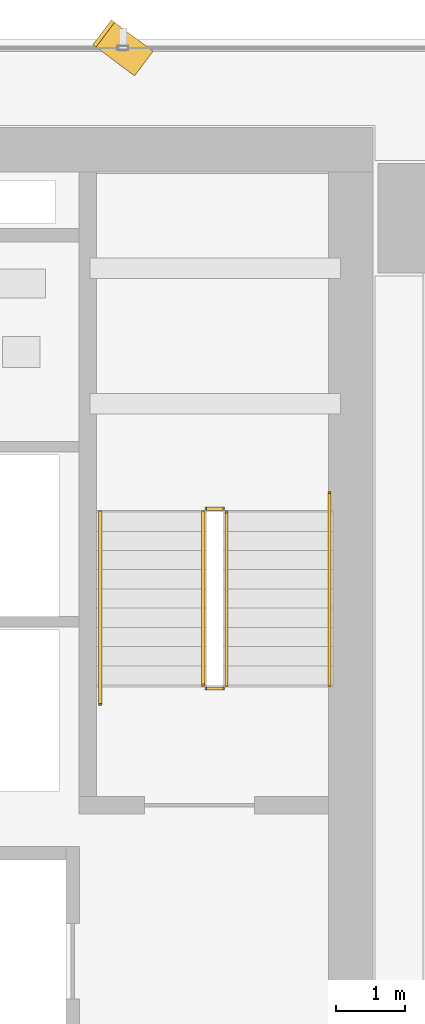
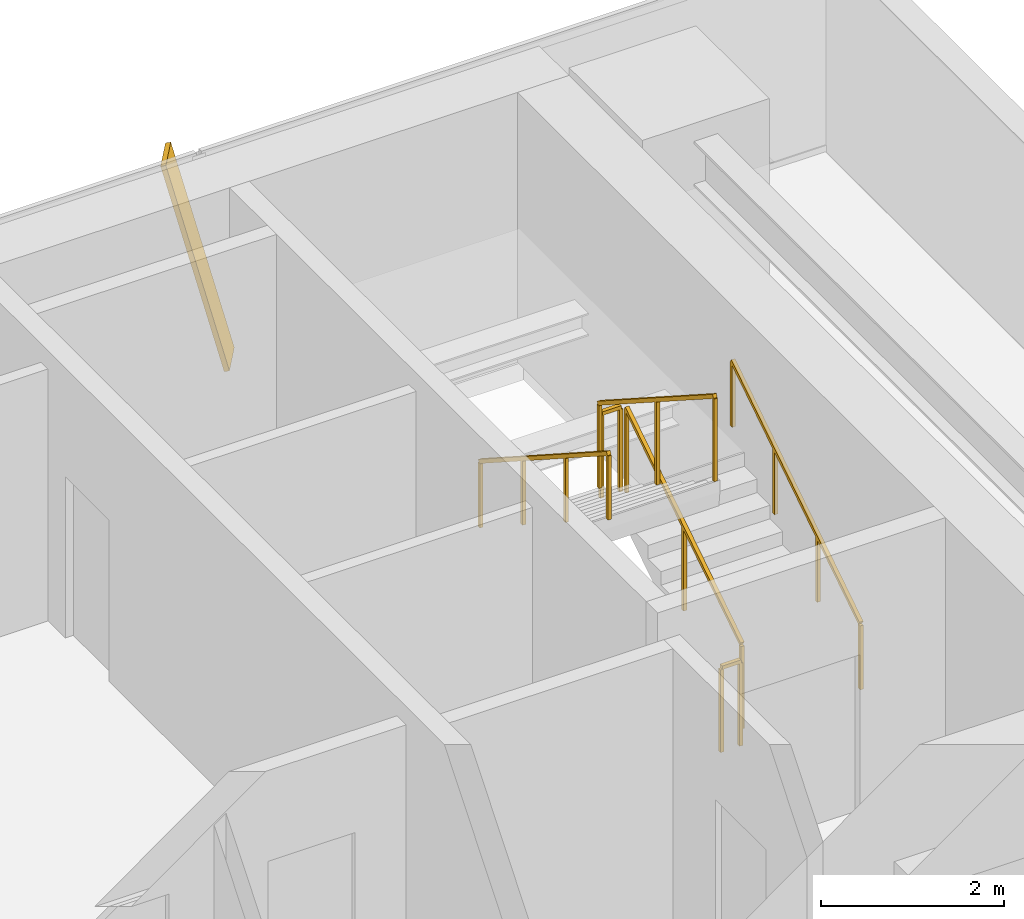
# One storey, part 35 of 36: 6 railings, 1 shading device.
"""IFC4 building model written with IfcOpenShell, lengths in metres."""

from ifc_helpers import new_model, si_unit, direction, frame, origin, origin_2d, place, context, subcontext, project, spatial, rectangle, extrude, source, transform, mapped, material, material_profile, profile_set, type_object, element, save


model = new_model("IFC4")

# Units and contexts
model_context = context("Model", 3, precision=1e-05, world=origin(), true_north=direction((0.0, 1.0)))
body_context = subcontext(model_context, "Body", "Model", "MODEL_VIEW")
ifc_project = project(units=[si_unit("LENGTHUNIT", "METRE"), si_unit("AREAUNIT", "SQUARE_METRE"), si_unit("VOLUMEUNIT", "CUBIC_METRE"), si_unit("PLANEANGLEUNIT", "RADIAN"), si_unit("MASSUNIT", "GRAM", prefix="KILO")], contexts=[model_context])

# Site, building, storey
site_placement = place(None, origin())
site = spatial("IfcSite", under=ifc_project, at=site_placement, CompositionType="ELEMENT")
building_placement = place(site_placement, origin())
building = spatial("IfcBuilding", under=site, at=building_placement, Name="Sumidabori Civic Tower", CompositionType="ELEMENT")
storey_placement = place(building_placement, frame((0.0, 0.0, 84.800048828125)))
storey = spatial("IfcBuildingStorey", under=building, at=storey_placement, Name="L21", CompositionType="ELEMENT", Elevation=84.800048828125)

# Railings
ifc_material_1 = material(Name="Stainless Steel Hairline Finish", Category="steel")
railing_type_1 = type_object("IfcRailingType", Name="RL-HANDRAIL", PredefinedType="HANDRAIL", material=ifc_material_1)
railing_1_placement = place(storey_placement, frame((15.2900390625, 16.0, 0.179931640625)))
element("IfcRailing", 1, at=railing_1_placement, inside=storey, type_object=railing_type_1, Name="L21 ST-2 stair handrail 1", PredefinedType="HANDRAIL", context=body_context, shape_type="SweptSolid", body=[
    extrude(rectangle(XDim=0.048095703125, YDim=0.048095703125, at=origin_2d()), frame((0.0, 0.0, 0.8759765625), z_axis=(0.0, 0.840675598268, 0.541539046124), x_axis=(-1.0, 0.0, 0.0)), (0.0, 0.0, 1.0), 3.330810546875),
    extrude(rectangle(XDim=0.0419921875, YDim=0.0419921875, at=origin_2d()), origin(), (0.0, 0.0, 1.0), 0.851806640625),
    extrude(rectangle(XDim=0.0419921875, YDim=0.0419921875, at=origin_2d()), frame((0.0, 0.933349609375, 0.601318359375)), (0.0, 0.0, 1.0), 0.851806640625),
    extrude(rectangle(XDim=0.0419921875, YDim=0.0419921875, at=origin_2d()), frame((0.0, 1.86669921875, 1.202392578125)), (0.0, 0.0, 1.0), 0.851806640625),
    extrude(rectangle(XDim=0.0419921875, YDim=0.0419921875, at=origin_2d()), frame((0.0, 2.800048828125, 1.8037109375)), (0.0, 0.0, 1.0), 0.851806640625),
])
railing_2_placement = place(storey_placement, frame((11.949951171875, 18.52001953125, 1.97998046875)))
element("IfcRailing", 2, at=railing_2_placement, inside=storey, type_object=railing_type_1, Name="L21 ST-2 stair handrail 2", PredefinedType="HANDRAIL", context=body_context, shape_type="SweptSolid", body=[
    extrude(rectangle(XDim=0.048095703125, YDim=0.048095703125, at=origin_2d()), frame((0.0, 0.0, 0.8759765625), z_axis=(0.0, -0.840675598268, 0.541539046124), x_axis=(1.0, 0.0, 0.0)), (0.0, 0.0, 1.0), 3.330810546875),
    extrude(rectangle(XDim=0.0419921875, YDim=0.0419921875, at=origin_2d()), origin(), (0.0, 0.0, 1.0), 0.851806640625),
    extrude(rectangle(XDim=0.0419921875, YDim=0.0419921875, at=origin_2d()), frame((0.0, -0.933349609375, 0.601318359375)), (0.0, 0.0, 1.0), 0.851806640625),
    extrude(rectangle(XDim=0.0419921875, YDim=0.0419921875, at=origin_2d()), frame((0.0, -1.86669921875, 1.202392578125)), (0.0, 0.0, 1.0), 0.851806640625),
    extrude(rectangle(XDim=0.0419921875, YDim=0.0419921875, at=origin_2d()), frame((0.0, -2.800048828125, 1.8037109375)), (0.0, 0.0, 1.0), 0.851806640625),
])
ifc_material_2 = material(Name="Steel SN490", Category="steel")
railing_type_2 = type_object("IfcRailingType", Name="RL-STAIR-GUARD", PredefinedType="GUARDRAIL", material=ifc_material_2)
railing_3_placement = place(storey_placement, frame((13.7900390625, 16.0, 0.179931640625)))
element("IfcRailing", 3, at=railing_3_placement, inside=storey, type_object=railing_type_2, Name="L21 ST-2 stair guard 1", PredefinedType="GUARDRAIL", context=body_context, shape_type="SweptSolid", body=[
    extrude(rectangle(XDim=0.048095703125, YDim=0.048095703125, at=origin_2d()), frame((0.0, 0.0, 1.1259765625), z_axis=(0.0, 0.841162588446, 0.540782303519), x_axis=(-1.0, 0.0, 0.0)), (0.0, 0.0, 1.0), 2.995849609375),
    extrude(rectangle(XDim=0.0419921875, YDim=0.0419921875, at=origin_2d()), origin(), (0.0, 0.0, 1.0), 1.101806640625),
    extrude(rectangle(XDim=0.0419921875, YDim=0.0419921875, at=origin_2d()), frame((0.0, 1.260009765625, 0.81005859375)), (0.0, 0.0, 1.0), 1.101806640625),
    extrude(rectangle(XDim=0.0419921875, YDim=0.0419921875, at=origin_2d()), frame((0.0, 2.52001953125, 1.6201171875)), (0.0, 0.0, 1.0), 1.101806640625),
])
railing_4_placement = place(storey_placement, frame((13.739990234375, 18.570068359375, 1.800048828125)))
element("IfcRailing", 4, at=railing_4_placement, inside=storey, type_object=railing_type_2, Name="L21 ST-2 stair guard 2", PredefinedType="GUARDRAIL", context=body_context, shape_type="SweptSolid", body=[
    extrude(rectangle(XDim=0.048095703125, YDim=0.048095703125, at=origin_2d()), frame((0.0, 0.0, 1.1259765625), z_axis=(-1.0, 0.0, 0.0), x_axis=(0.0, -1.0, 0.0)), (0.0, 0.0, 1.0), 0.239990234375),
    extrude(rectangle(XDim=0.0419921875, YDim=0.0419921875, at=origin_2d()), origin(), (0.0, 0.0, 1.0), 1.101806640625),
    extrude(rectangle(XDim=0.0419921875, YDim=0.0419921875, at=origin_2d()), frame((-0.239990234375, 0.0, 0.0)), (0.0, 0.0, 1.0), 1.101806640625),
])
railing_5_placement = place(storey_placement, frame((13.449951171875, 18.52001953125, 1.97998046875)))
element("IfcRailing", 5, at=railing_5_placement, inside=storey, type_object=railing_type_2, Name="L21 ST-2 stair guard 3", PredefinedType="GUARDRAIL", context=body_context, shape_type="SweptSolid", body=[
    extrude(rectangle(XDim=0.048095703125, YDim=0.048095703125, at=origin_2d()), frame((0.0, 0.0, 1.1259765625), z_axis=(0.0, -0.841199657755, 0.540724639528), x_axis=(1.0, 0.0, 0.0)), (0.0, 0.0, 1.0), 2.995849609375),
    extrude(rectangle(XDim=0.0419921875, YDim=0.0419921875, at=origin_2d()), origin(), (0.0, 0.0, 1.0), 1.101806640625),
    extrude(rectangle(XDim=0.0419921875, YDim=0.0419921875, at=origin_2d()), frame((0.0, -1.260009765625, 0.81005859375)), (0.0, 0.0, 1.0), 1.101806640625),
    extrude(rectangle(XDim=0.0419921875, YDim=0.0419921875, at=origin_2d()), frame((0.0, -2.52001953125, 1.619873046875)), (0.0, 0.0, 1.0), 1.101806640625),
])
railing_6_placement = place(storey_placement, frame((13.739990234375, 15.949951171875, 0.0)))
element("IfcRailing", 6, at=railing_6_placement, inside=storey, type_object=railing_type_2, Name="L21 ST-2 stair guard 4", PredefinedType="GUARDRAIL", context=body_context, shape_type="SweptSolid", body=[
    extrude(rectangle(XDim=0.048095703125, YDim=0.048095703125, at=origin_2d()), frame((0.0, 0.0, 1.1259765625), z_axis=(-1.0, 0.0, 0.0), x_axis=(0.0, -1.0, 0.0)), (0.0, 0.0, 1.0), 0.239990234375),
    extrude(rectangle(XDim=0.0419921875, YDim=0.0419921875, at=origin_2d()), origin(), (0.0, 0.0, 1.0), 1.101806640625),
    extrude(rectangle(XDim=0.0419921875, YDim=0.0419921875, at=origin_2d()), frame((-0.239990234375, 0.0, 0.0)), (0.0, 0.0, 1.0), 1.101806640625),
])

# Shading device
ifc_material_3 = material(Name="Anodised Bronze Aluminium AW-6063-T6", Category="aluminium")
ifc_material_profile = material_profile(ifc_material_3, rectangle(XDim=0.06005859375, YDim=0.449951171875, at=origin_2d()), Name="BRONZE FIN 450x60")
ifc_profile_set = profile_set([ifc_material_profile], Name="Anodised Bronze Aluminium AW-6063-T6")
shading_device_type = type_object("IfcShadingDeviceType", Name="SH-FIN-450", PredefinedType="USERDEFINED", material=ifc_profile_set)
shared_shape = source(origin(), body_context, "Body", "SweptSolid", [
    extrude(rectangle(XDim=0.06005859375, YDim=0.449951171875, at=origin_2d()), origin(), (0.0, 0.0, 1.0), 2.769775390625),
])
shading_device_placement = place(storey_placement, frame((12.56201171875, 25.070068359375, 0.02001953125), z_axis=(-0.202198633998, 0.151604904305, 0.967538973582), x_axis=(0.774112159528, -0.58041539424, 0.252721852241)))
element("IfcShadingDevice", 7, at=shading_device_placement, inside=storey, type_object=shading_device_type, Name="Bronze Anodised Diagonal Fin L21-01", ObjectType="FIN", PredefinedType="USERDEFINED", context=body_context, shape_type="MappedRepresentation", body=[
    mapped(shared_shape, transform((0.0, 0.0, 0.0), x_axis=(1.0, 0.0, 0.0), y_axis=(0.0, 1.0, 0.0), z_axis=(0.0, 0.0, 1.0), scale=1.0)),
])

save(model, "model.ifc")
